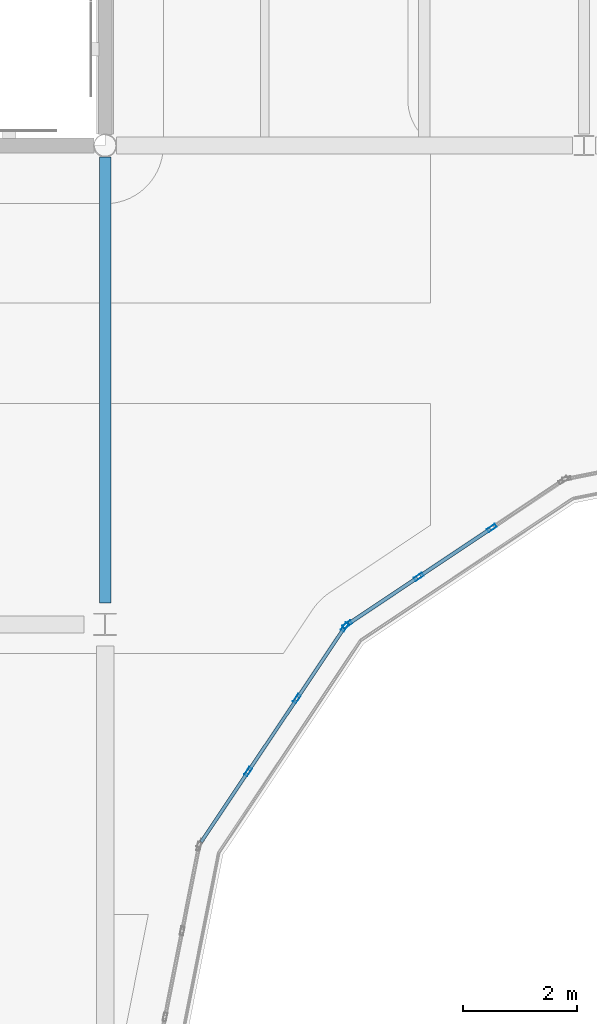
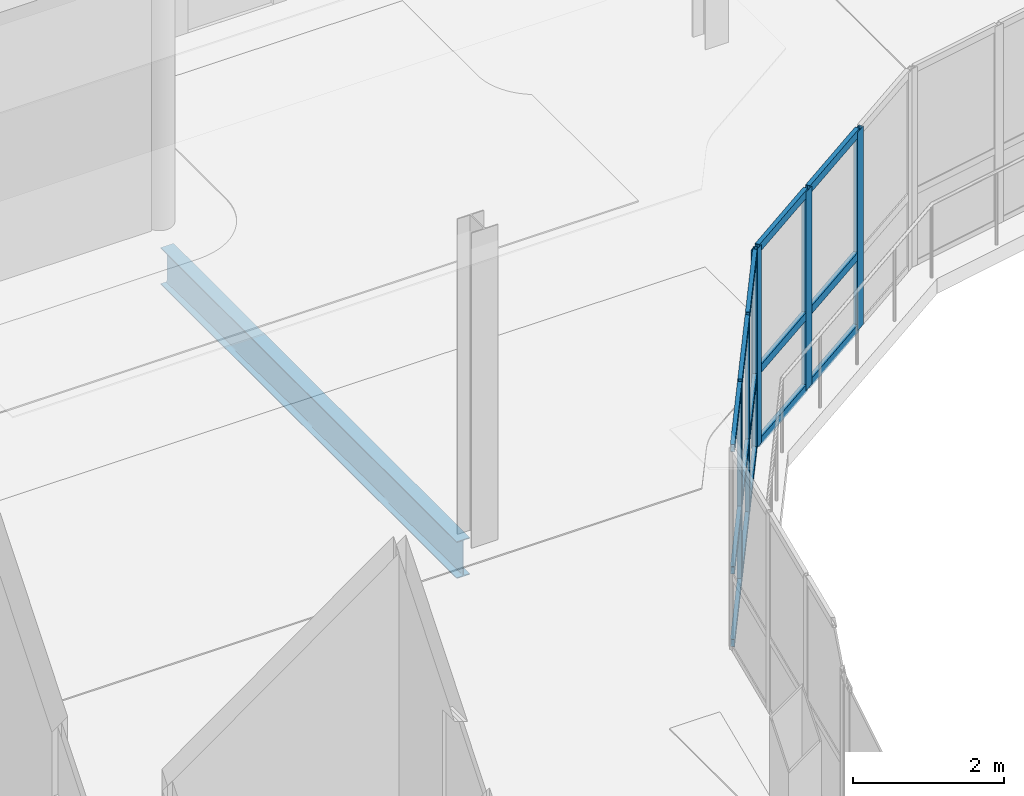
# One storey, part 26 of 104: 21 members, 1 beam, 2 elements without a shape of their own.
"""IFC4 building model written with IfcOpenShell, lengths in metres."""

from ifc_helpers import new_model, si_unit, direction, frame, origin, origin_2d, place, context, subcontext, project, spatial, hollow_rectangle, i_section, extrude, material, layer, layer_set, material_profile, profile_set, type_object, element, aggregate, save


model = new_model("IFC4")

# Units and contexts
model_context = context("Model", 3, precision=1e-05, world=origin(), true_north=direction((0.0, 1.0)))
body_context = subcontext(model_context, "Body", "Model", "MODEL_VIEW")
ifc_project = project(units=[si_unit("LENGTHUNIT", "METRE"), si_unit("AREAUNIT", "SQUARE_METRE"), si_unit("VOLUMEUNIT", "CUBIC_METRE"), si_unit("PLANEANGLEUNIT", "RADIAN"), si_unit("MASSUNIT", "GRAM", prefix="KILO"), si_unit("THERMODYNAMICTEMPERATUREUNIT", "KELVIN")], contexts=[model_context])

# Site, building, storey
site_placement = place(None, origin())
site = spatial("IfcSite", under=ifc_project, at=site_placement, CompositionType="ELEMENT")
building_placement = place(site_placement, origin())
building = spatial("IfcBuilding", under=site, at=building_placement, Name="Lustrewick Department Store", CompositionType="ELEMENT")
storey_placement = place(building_placement, frame((0.0, 0.0, 11.39990234375)))
storey = spatial("IfcBuildingStorey", under=building, at=storey_placement, Name="L03", CompositionType="ELEMENT", Elevation=11.39990234375)

# Curtain wall, members
ifc_material_1 = material(Name="Thermally broken aluminium 6063-T5", Category="aluminium")
ifc_layer_1 = layer(ifc_material_1, 0.169921875, Name="Thermally broken aluminium 6063-T5")
ifc_layer_set_1 = layer_set([ifc_layer_1], Name="Thermally broken aluminium 6063-T5")
curtain_wall_type_1 = type_object("IfcCurtainWallType", Name="CW16", PredefinedType="NOTDEFINED", material=ifc_layer_set_1)
curtain_wall_1_placement = place(storey_placement, origin())
curtain_wall_1 = element("IfcCurtainWall", 1, at=curtain_wall_1_placement, inside=storey, type_object=curtain_wall_type_1, Name="L03 Atrium Glazed Screen CW16", PredefinedType="NOTDEFINED")
ifc_material_profile_1 = material_profile(ifc_material_1, hollow_rectangle(XDim=0.06494140625, YDim=0.169921875, WallThickness=0.00390625, at=origin_2d()), Name="ALU-M 65x170x4")
ifc_profile_set_1 = profile_set([ifc_material_profile_1], Name="Thermally broken aluminium 6063-T5")
member_type_1 = type_object("IfcMemberType", Name="CW16-M1", PredefinedType="MULLION", material=ifc_profile_set_1)
member_1_placement = place(storey_placement, frame((23.583740234375, 77.291748046875, 0.0), z_axis=(0.0, 0.0, 1.0), x_axis=(0.555578313862, -0.831464212799, 0.0)))
member_1 = element("IfcMember", 2, at=member_1_placement, type_object=member_type_1, Name="CW16 mullion 2", PredefinedType="MULLION", context=body_context, shape_type="SweptSolid", body=[
    extrude(hollow_rectangle(XDim=0.06494140625, YDim=0.169921875, WallThickness=0.00390625, at=origin_2d()), origin(), (0.0, 0.0, 1.0), 3.2001953125),
])
member_2_placement = place(storey_placement, frame((22.30224609375, 76.435546875, 0.0), z_axis=(0.0, 0.0, 1.0), x_axis=(0.555578313862, -0.831464212799, 0.0)))
member_2 = element("IfcMember", 3, at=member_2_placement, type_object=member_type_1, Name="CW16 mullion 3", PredefinedType="MULLION", context=body_context, shape_type="SweptSolid", body=[
    extrude(hollow_rectangle(XDim=0.06494140625, YDim=0.169921875, WallThickness=0.00390625, at=origin_2d()), origin(), (0.0, 0.0, 1.0), 3.2001953125),
])
member_3_placement = place(storey_placement, frame((21.0478515625, 75.59716796875, 0.0), z_axis=(0.0, 0.0, 1.0), x_axis=(0.555578313862, -0.831464212799, 0.0)))
member_3 = element("IfcMember", 4, at=member_3_placement, type_object=member_type_1, Name="CW16 mullion 4", PredefinedType="MULLION", context=body_context, shape_type="SweptSolid", body=[
    extrude(hollow_rectangle(XDim=0.06494140625, YDim=0.169921875, WallThickness=0.00390625, at=origin_2d()), origin(), (0.0, 0.0, 1.0), 3.2001953125),
])
ifc_material_profile_2 = material_profile(ifc_material_1, hollow_rectangle(XDim=0.06494140625, YDim=0.1298828125, WallThickness=0.00341796875, at=origin_2d()), Name="ALU-T 65x130x3.5")
ifc_profile_set_2 = profile_set([ifc_material_profile_2], Name="Thermally broken aluminium 6063-T5")
member_type_2 = type_object("IfcMemberType", Name="CW16-T1", PredefinedType="USERDEFINED", material=ifc_profile_set_2)
member_4_placement = place(storey_placement, frame((23.556640625, 77.273681640625, 0.03271484375), z_axis=(-0.831464570536, -0.555577778482, 0.0), x_axis=(0.555577778482, -0.831464570536, 0.0)))
member_4 = element("IfcMember", 5, at=member_4_placement, type_object=member_type_2, Name="CW16 transom 2.1", ObjectType="TRANSOM", PredefinedType="USERDEFINED", context=body_context, shape_type="SweptSolid", body=[
    extrude(hollow_rectangle(XDim=0.06494140625, YDim=0.1298828125, WallThickness=0.00341796875, at=origin_2d()), origin(), (0.0, 0.0, 1.0), 1.47607421875),
])
member_5_placement = place(storey_placement, frame((23.556640625, 77.273681640625, 1.2001953125), z_axis=(-0.831464570536, -0.555577778482, 0.0), x_axis=(0.555577778482, -0.831464570536, 0.0)))
member_5 = element("IfcMember", 6, at=member_5_placement, type_object=member_type_2, Name="CW16 transom 2.2", ObjectType="TRANSOM", PredefinedType="USERDEFINED", context=body_context, shape_type="SweptSolid", body=[
    extrude(hollow_rectangle(XDim=0.06494140625, YDim=0.1298828125, WallThickness=0.00341796875, at=origin_2d()), origin(), (0.0, 0.0, 1.0), 1.47607421875),
])
member_6_placement = place(storey_placement, frame((23.556640625, 77.273681640625, 3.16748046875), z_axis=(-0.831464570536, -0.555577778482, 0.0), x_axis=(0.555577778482, -0.831464570536, 0.0)))
member_6 = element("IfcMember", 7, at=member_6_placement, type_object=member_type_2, Name="CW16 transom 2.3", ObjectType="TRANSOM", PredefinedType="USERDEFINED", context=body_context, shape_type="SweptSolid", body=[
    extrude(hollow_rectangle(XDim=0.06494140625, YDim=0.1298828125, WallThickness=0.00341796875, at=origin_2d()), origin(), (0.0, 0.0, 1.0), 1.47607421875),
])
member_7_placement = place(storey_placement, frame((22.275146484375, 76.41748046875, 0.03271484375), z_axis=(-0.831373212471, -0.555714478474, 0.0), x_axis=(0.555714478474, -0.831373212471, 0.0)))
member_7 = element("IfcMember", 8, at=member_7_placement, type_object=member_type_2, Name="CW16 transom 3.1", ObjectType="TRANSOM", PredefinedType="USERDEFINED", context=body_context, shape_type="SweptSolid", body=[
    extrude(hollow_rectangle(XDim=0.06494140625, YDim=0.1298828125, WallThickness=0.00341796875, at=origin_2d()), origin(), (0.0, 0.0, 1.0), 1.443603515625),
])
member_8_placement = place(storey_placement, frame((22.275146484375, 76.41748046875, 1.2001953125), z_axis=(-0.831373212471, -0.555714478474, 0.0), x_axis=(0.555714478474, -0.831373212471, 0.0)))
member_8 = element("IfcMember", 9, at=member_8_placement, type_object=member_type_2, Name="CW16 transom 3.2", ObjectType="TRANSOM", PredefinedType="USERDEFINED", context=body_context, shape_type="SweptSolid", body=[
    extrude(hollow_rectangle(XDim=0.06494140625, YDim=0.1298828125, WallThickness=0.00341796875, at=origin_2d()), origin(), (0.0, 0.0, 1.0), 1.443603515625),
])
member_9_placement = place(storey_placement, frame((22.275146484375, 76.41748046875, 3.16748046875), z_axis=(-0.831373212471, -0.555714478474, 0.0), x_axis=(0.555714478474, -0.831373212471, 0.0)))
member_9 = element("IfcMember", 10, at=member_9_placement, type_object=member_type_2, Name="CW16 transom 3.3", ObjectType="TRANSOM", PredefinedType="USERDEFINED", context=body_context, shape_type="SweptSolid", body=[
    extrude(hollow_rectangle(XDim=0.06494140625, YDim=0.1298828125, WallThickness=0.00341796875, at=origin_2d()), origin(), (0.0, 0.0, 1.0), 1.443603515625),
])
aggregate(curtain_wall_1, [member_1, member_2, member_3, member_4, member_5, member_6, member_7, member_8, member_9])

ifc_layer_2 = layer(ifc_material_1, 0.159912109375, Name="Thermally broken aluminium 6063-T5")
ifc_layer_set_2 = layer_set([ifc_layer_2], Name="Thermally broken aluminium 6063-T5")
curtain_wall_type_2 = type_object("IfcCurtainWallType", Name="CW17", PredefinedType="NOTDEFINED", material=ifc_layer_set_2)
curtain_wall_2_placement = place(storey_placement, origin())
curtain_wall_2 = element("IfcCurtainWall", 11, at=curtain_wall_2_placement, inside=storey, type_object=curtain_wall_type_2, Name="L03 Atrium Glazed Screen CW17", PredefinedType="NOTDEFINED")
ifc_material_profile_3 = material_profile(ifc_material_1, hollow_rectangle(XDim=0.06005859375, YDim=0.159912109375, WallThickness=0.00390625, at=origin_2d()), Name="ALU-M 60x160x4")
ifc_profile_set_3 = profile_set([ifc_material_profile_3], Name="Thermally broken aluminium 6063-T5")
member_type_3 = type_object("IfcMemberType", Name="CW17-M1", PredefinedType="MULLION", material=ifc_profile_set_3)
member_10_placement = place(storey_placement, frame((21.004150390625, 75.55419921875, 0.0), z_axis=(0.0, 0.0, 1.0), x_axis=(0.831464212799, -0.555578313862, 0.0)))
member_10 = element("IfcMember", 12, at=member_10_placement, type_object=member_type_3, Name="CW17 mullion 1", PredefinedType="MULLION", context=body_context, shape_type="SweptSolid", body=[
    extrude(hollow_rectangle(XDim=0.06005859375, YDim=0.159912109375, WallThickness=0.00390625, at=origin_2d()), origin(), (0.0, 0.0, 1.0), 3.2001953125),
])
member_11_placement = place(storey_placement, frame((20.16455078125, 74.2978515625, 0.0), z_axis=(0.0, 0.0, 1.0), x_axis=(0.831464212799, -0.555578313862, 0.0)))
member_11 = element("IfcMember", 13, at=member_11_placement, type_object=member_type_3, Name="CW17 mullion 2", PredefinedType="MULLION", context=body_context, shape_type="SweptSolid", body=[
    extrude(hollow_rectangle(XDim=0.06005859375, YDim=0.159912109375, WallThickness=0.00390625, at=origin_2d()), origin(), (0.0, 0.0, 1.0), 3.2001953125),
])
member_12_placement = place(storey_placement, frame((19.308349609375, 73.016357421875, 0.0), z_axis=(0.0, 0.0, 1.0), x_axis=(0.831464212799, -0.555578313862, 0.0)))
member_12 = element("IfcMember", 14, at=member_12_placement, type_object=member_type_3, Name="CW17 mullion 3", PredefinedType="MULLION", context=body_context, shape_type="SweptSolid", body=[
    extrude(hollow_rectangle(XDim=0.06005859375, YDim=0.159912109375, WallThickness=0.00390625, at=origin_2d()), origin(), (0.0, 0.0, 1.0), 3.2001953125),
])
ifc_material_profile_4 = material_profile(ifc_material_1, hollow_rectangle(XDim=0.06005859375, YDim=0.1201171875, WallThickness=0.00341796875, at=origin_2d()), Name="ALU-T 60x120x3.5")
ifc_profile_set_4 = profile_set([ifc_material_profile_4], Name="Thermally broken aluminium 6063-T5")
member_type_4 = type_object("IfcMemberType", Name="CW17-T1", PredefinedType="USERDEFINED", material=ifc_profile_set_4)
member_13_placement = place(storey_placement, frame((20.987548828125, 75.529296875, 0.030029296875), z_axis=(-0.555670388234, -0.831402682002, 0.0), x_axis=(0.831402682002, -0.555670388234, 0.0)))
member_13 = element("IfcMember", 15, at=member_13_placement, type_object=member_type_4, Name="CW17 transom 1.1", ObjectType="TRANSOM", PredefinedType="USERDEFINED", context=body_context, shape_type="SweptSolid", body=[
    extrude(hollow_rectangle(XDim=0.06005859375, YDim=0.1201171875, WallThickness=0.00341796875, at=origin_2d()), origin(), (0.0, 0.0, 1.0), 1.451171875),
])
member_14_placement = place(storey_placement, frame((20.987548828125, 75.529296875, 1.2001953125), z_axis=(-0.555670388234, -0.831402682002, 0.0), x_axis=(0.831402682002, -0.555670388234, 0.0)))
member_14 = element("IfcMember", 16, at=member_14_placement, type_object=member_type_4, Name="CW17 transom 1.2", ObjectType="TRANSOM", PredefinedType="USERDEFINED", context=body_context, shape_type="SweptSolid", body=[
    extrude(hollow_rectangle(XDim=0.06005859375, YDim=0.1201171875, WallThickness=0.00341796875, at=origin_2d()), origin(), (0.0, 0.0, 1.0), 1.451171875),
])
member_15_placement = place(storey_placement, frame((20.987548828125, 75.529296875, 3.170166015625), z_axis=(-0.555670388234, -0.831402682002, 0.0), x_axis=(0.831402682002, -0.555670388234, 0.0)))
member_15 = element("IfcMember", 17, at=member_15_placement, type_object=member_type_4, Name="CW17 transom 1.3", ObjectType="TRANSOM", PredefinedType="USERDEFINED", context=body_context, shape_type="SweptSolid", body=[
    extrude(hollow_rectangle(XDim=0.06005859375, YDim=0.1201171875, WallThickness=0.00341796875, at=origin_2d()), origin(), (0.0, 0.0, 1.0), 1.451171875),
])
member_16_placement = place(storey_placement, frame((20.14794921875, 74.272705078125, 0.030029296875), z_axis=(-0.555650791413, -0.83141577926, 0.0), x_axis=(0.83141577926, -0.555650791413, 0.0)))
member_16 = element("IfcMember", 18, at=member_16_placement, type_object=member_type_4, Name="CW17 transom 2.1", ObjectType="TRANSOM", PredefinedType="USERDEFINED", context=body_context, shape_type="SweptSolid", body=[
    extrude(hollow_rectangle(XDim=0.06005859375, YDim=0.1201171875, WallThickness=0.00341796875, at=origin_2d()), origin(), (0.0, 0.0, 1.0), 1.481201171875),
])
member_17_placement = place(storey_placement, frame((20.14794921875, 74.272705078125, 1.2001953125), z_axis=(-0.555650791413, -0.83141577926, 0.0), x_axis=(0.83141577926, -0.555650791413, 0.0)))
member_17 = element("IfcMember", 19, at=member_17_placement, type_object=member_type_4, Name="CW17 transom 2.2", ObjectType="TRANSOM", PredefinedType="USERDEFINED", context=body_context, shape_type="SweptSolid", body=[
    extrude(hollow_rectangle(XDim=0.06005859375, YDim=0.1201171875, WallThickness=0.00341796875, at=origin_2d()), origin(), (0.0, 0.0, 1.0), 1.481201171875),
])
member_18_placement = place(storey_placement, frame((20.14794921875, 74.272705078125, 3.170166015625), z_axis=(-0.555650791413, -0.83141577926, 0.0), x_axis=(0.83141577926, -0.555650791413, 0.0)))
member_18 = element("IfcMember", 20, at=member_18_placement, type_object=member_type_4, Name="CW17 transom 2.3", ObjectType="TRANSOM", PredefinedType="USERDEFINED", context=body_context, shape_type="SweptSolid", body=[
    extrude(hollow_rectangle(XDim=0.06005859375, YDim=0.1201171875, WallThickness=0.00341796875, at=origin_2d()), origin(), (0.0, 0.0, 1.0), 1.481201171875),
])
member_19_placement = place(storey_placement, frame((19.29150390625, 72.9912109375, 0.030029296875), z_axis=(-0.555554084832, -0.83148040195, 0.0), x_axis=(0.83148040195, -0.555554084832, 0.0)))
member_19 = element("IfcMember", 21, at=member_19_placement, type_object=member_type_4, Name="CW17 transom 3.1", ObjectType="TRANSOM", PredefinedType="USERDEFINED", context=body_context, shape_type="SweptSolid", body=[
    extrude(hollow_rectangle(XDim=0.06005859375, YDim=0.1201171875, WallThickness=0.00341796875, at=origin_2d()), origin(), (0.0, 0.0, 1.0), 1.451171875),
])
member_20_placement = place(storey_placement, frame((19.29150390625, 72.9912109375, 1.2001953125), z_axis=(-0.555554084832, -0.83148040195, 0.0), x_axis=(0.83148040195, -0.555554084832, 0.0)))
member_20 = element("IfcMember", 22, at=member_20_placement, type_object=member_type_4, Name="CW17 transom 3.2", ObjectType="TRANSOM", PredefinedType="USERDEFINED", context=body_context, shape_type="SweptSolid", body=[
    extrude(hollow_rectangle(XDim=0.06005859375, YDim=0.1201171875, WallThickness=0.00341796875, at=origin_2d()), origin(), (0.0, 0.0, 1.0), 1.451171875),
])
member_21_placement = place(storey_placement, frame((19.29150390625, 72.9912109375, 3.170166015625), z_axis=(-0.555554084832, -0.83148040195, 0.0), x_axis=(0.83148040195, -0.555554084832, 0.0)))
member_21 = element("IfcMember", 23, at=member_21_placement, type_object=member_type_4, Name="CW17 transom 3.3", ObjectType="TRANSOM", PredefinedType="USERDEFINED", context=body_context, shape_type="SweptSolid", body=[
    extrude(hollow_rectangle(XDim=0.06005859375, YDim=0.1201171875, WallThickness=0.00341796875, at=origin_2d()), origin(), (0.0, 0.0, 1.0), 1.451171875),
])
aggregate(curtain_wall_2, [member_10, member_11, member_12, member_13, member_14, member_15, member_16, member_17, member_18, member_19, member_20, member_21])

# Beam
ifc_material_2 = material(Name="Structural steel Q355B", Category="steel")
ifc_material_profile_5 = material_profile(ifc_material_2, i_section(OverallWidth=0.198974609375, OverallDepth=0.595947265625, WebThickness=0.010009765625, FlangeThickness=0.014892578125, FilletRadius=0.01806640625, at=origin_2d()), Name="HN 596x199x10x15")
ifc_profile_set_5 = profile_set([ifc_material_profile_5], Name="Structural steel Q355B")
beam_type = type_object("IfcBeamType", Name="G15", PredefinedType="BEAM", material=ifc_profile_set_5)
beam_placement = place(storey_placement, frame((16.800048828125, 75.97509765625, -0.552978515625), z_axis=(0.0, 1.0, 0.0), x_axis=(-1.0, 0.0, 0.0)))
element("IfcBeam", 24, at=beam_placement, inside=storey, type_object=beam_type, Name="L03 V1 Girder G15", PredefinedType="BEAM", context=body_context, shape_type="SweptSolid", body=[
    extrude(i_section(OverallWidth=0.198974609375, OverallDepth=0.595947265625, WebThickness=0.010009765625, FlangeThickness=0.014892578125, FilletRadius=0.01806640625, at=origin_2d()), origin(), (0.0, 0.0, 1.0), 7.822021484375),
])

save(model, "model.ifc")
